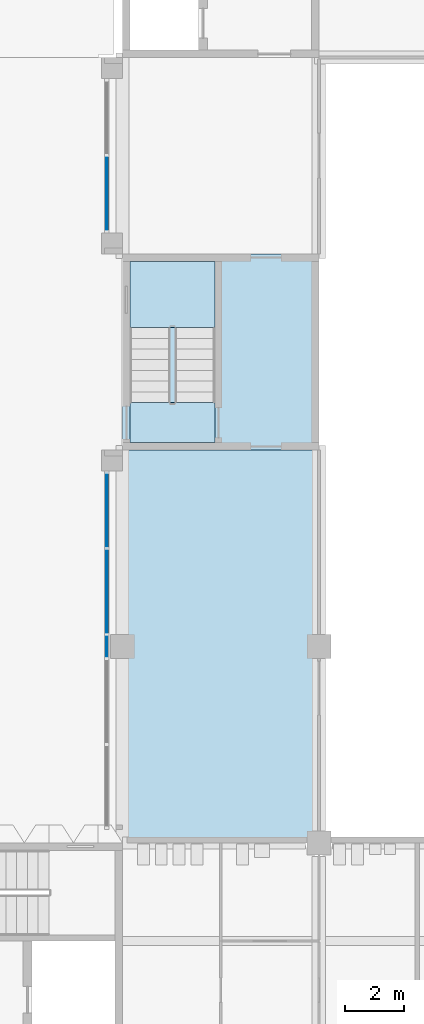
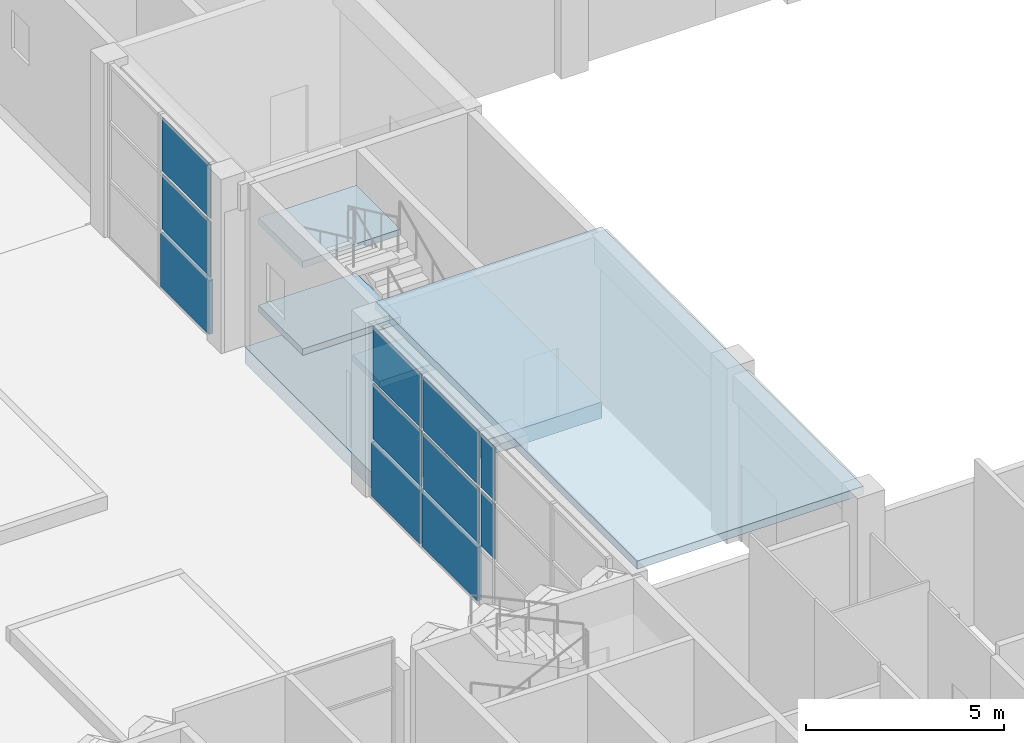
# One storey, part 20 of 85: 11 plates, 5 slabs, 3 elements without a shape of their own.
"""IFC4 building model written with IfcOpenShell, lengths in metres."""

from ifc_helpers import new_model, si_unit, direction, frame, origin, origin_2d, place, context, subcontext, project, spatial, polyline, rectangle, outline, extrude, material, layer, layer_set, type_object, element, aggregate, save


model = new_model("IFC4")

# Units and contexts
model_context = context("Model", 3, precision=1e-05, world=origin(), true_north=direction((0.0, 1.0)))
body_context = subcontext(model_context, "Body", "Model", "MODEL_VIEW")
ifc_project = project(units=[si_unit("LENGTHUNIT", "METRE"), si_unit("AREAUNIT", "SQUARE_METRE"), si_unit("VOLUMEUNIT", "CUBIC_METRE"), si_unit("PLANEANGLEUNIT", "RADIAN"), si_unit("MASSUNIT", "GRAM", prefix="KILO")], contexts=[model_context])

# Site, building, storey
site_placement = place(None, origin())
site = spatial("IfcSite", under=ifc_project, at=site_placement, CompositionType="ELEMENT")
building_placement = place(site_placement, origin())
building = spatial("IfcBuilding", under=site, at=building_placement, Name="Lantern Court Research Institute", CompositionType="ELEMENT")
storey_placement = place(building_placement, origin())
storey = spatial("IfcBuildingStorey", under=building, at=storey_placement, Name="L00", CompositionType="ELEMENT", Elevation=0.0)

# Curtain wall, plates
ifc_material_1 = material(Name="Aluminium alloy 6063-T6", Category="aluminium")
curtain_wall_type_1 = type_object("IfcCurtainWallType", Name="Curtain wall 12050 x 5400 x 150 aluminium frame", PredefinedType="NOTDEFINED", material=ifc_material_1)
curtain_wall_1_placement = place(storey_placement, origin())
curtain_wall_1 = element("IfcCurtainWall", 1, at=curtain_wall_1_placement, inside=storey, type_object=curtain_wall_type_1, Name="Curtain wall CW004", PredefinedType="NOTDEFINED")
ifc_material_2 = material(Name="Fire-resisting insulated aluminium spandrel panel", Category="aluminium")
ifc_layer_1 = layer(ifc_material_2, 0.1201171875)
ifc_layer_set_1 = layer_set([ifc_layer_1], Name="Fire-resisting insulated aluminium spandrel panel")
plate_type_1 = type_object("IfcPlateType", Name="Fire-resisting spandrel panel 120 mm", PredefinedType="CURTAIN_PANEL", material=ifc_layer_set_1)
plate_1_placement = place(storey_placement, frame((39.074951171875, 31.550048828125, 0.10009765625), z_axis=(0.0, 0.0, 1.0), x_axis=(0.0, 1.0, 0.0)))
plate_1 = element("IfcPlate", 2, at=plate_1_placement, type_object=plate_type_1, Name="CW004 spandrel panel 4.1", PredefinedType="CURTAIN_PANEL", context=body_context, shape_type="SweptSolid", body=[
    extrude(rectangle(XDim=2.800048828125, YDim=0.1201171875, at=origin_2d()), origin(), (0.0, 0.0, 1.0), 1.64990234375),
])
plate_2_placement = place(storey_placement, frame((39.074951171875, 34.27490234375, 0.10009765625), z_axis=(0.0, 0.0, 1.0), x_axis=(0.0, 1.0, 0.0)))
plate_2 = element("IfcPlate", 3, at=plate_2_placement, type_object=plate_type_1, Name="CW004 spandrel panel 5.1", PredefinedType="CURTAIN_PANEL", context=body_context, shape_type="SweptSolid", body=[
    extrude(rectangle(XDim=2.449951171875, YDim=0.1201171875, at=origin_2d()), origin(), (0.0, 0.0, 1.0), 1.64990234375),
])

# Curtain wall, plate
ifc_material_3 = material(Name="Aluminium alloy 6063-T6", Category="aluminium")
curtain_wall_type_2 = type_object("IfcCurtainWallType", Name="Curtain wall 5200 x 5400 x 150 aluminium frame", PredefinedType="NOTDEFINED", material=ifc_material_3)
curtain_wall_2_placement = place(storey_placement, origin())
curtain_wall_2 = element("IfcCurtainWall", 4, at=curtain_wall_2_placement, inside=storey, type_object=curtain_wall_type_2, Name="Curtain wall CW005", PredefinedType="NOTDEFINED")
plate_3_placement = place(storey_placement, frame((39.074951171875, 44.925048828125, 0.10009765625), z_axis=(0.0, 0.0, 1.0), x_axis=(0.0, 1.0, 0.0)))
plate_3 = element("IfcPlate", 5, at=plate_3_placement, type_object=plate_type_1, Name="CW005 spandrel panel 1.1", PredefinedType="CURTAIN_PANEL", context=body_context, shape_type="SweptSolid", body=[
    extrude(rectangle(XDim=2.449951171875, YDim=0.1201171875, at=origin_2d()), origin(), (0.0, 0.0, 1.0), 1.64990234375),
])

# Slab
ifc_material_4 = material(Name="Concrete C35/45", Category="concrete")
ifc_layer_2 = layer(ifc_material_4, 0.25)
ifc_layer_set_2 = layer_set([ifc_layer_2], Name="Concrete C35/45")
slab_type_1 = type_object("IfcSlabType", Name="Hall gallery slab 250", PredefinedType="FLOOR", material=ifc_layer_set_2)
slab_1_placement = place(storey_placement, frame((0.0, 0.0, 5.14990234375)))
element("IfcSlab", 6, at=slab_1_placement, inside=storey, type_object=slab_type_1, Name="Atrium gallery floor slab L01", PredefinedType="FLOOR", context=body_context, shape_type="SweptSolid", body=[
    extrude(outline(polyline([(39.60009765625, 36.300048828125), (46.199951171875, 36.300048828125), (46.199951171875, 23.10009765625), (39.60009765625, 23.10009765625), (39.60009765625, 36.300048828125)])), origin(), (0.0, 0.0, 1.0), 0.25),
])

# Plate
ifc_material_5 = material(Name="Laminated low-emissivity glass", Category="glass")
ifc_layer_3 = layer(ifc_material_5, 0.028076171875)
ifc_layer_set_3 = layer_set([ifc_layer_3], Name="Laminated low-emissivity glass")
plate_type_2 = type_object("IfcPlateType", Name="Laminated low-emissivity unit 28 mm", PredefinedType="CURTAIN_PANEL", material=ifc_layer_set_3)
plate_4_placement = place(storey_placement, frame((39.074951171875, 29.699951171875, 1.85009765625), z_axis=(0.0, 0.0, 1.0), x_axis=(0.0, 1.0, 0.0)))
plate_4 = element("IfcPlate", 7, at=plate_4_placement, type_object=plate_type_2, Name="CW004 glazed panel 3.2", PredefinedType="CURTAIN_PANEL", context=body_context, shape_type="SweptSolid", body=[
    extrude(rectangle(XDim=0.699951171875, YDim=0.028076171875, at=origin_2d()), origin(), (0.0, 0.0, 1.0), 1.699951171875),
])

plate_5_placement = place(storey_placement, frame((39.074951171875, 29.699951171875, 3.650146484375), z_axis=(0.0, 0.0, 1.0), x_axis=(0.0, 1.0, 0.0)))
plate_5 = element("IfcPlate", 8, at=plate_5_placement, type_object=plate_type_2, Name="CW004 glazed panel 3.3", PredefinedType="CURTAIN_PANEL", context=body_context, shape_type="SweptSolid", body=[
    extrude(rectangle(XDim=0.699951171875, YDim=0.028076171875, at=origin_2d()), origin(), (0.0, 0.0, 1.0), 1.64990234375),
])

plate_6_placement = place(storey_placement, frame((39.074951171875, 31.550048828125, 1.85009765625), z_axis=(0.0, 0.0, 1.0), x_axis=(0.0, 1.0, 0.0)))
plate_6 = element("IfcPlate", 9, at=plate_6_placement, type_object=plate_type_2, Name="CW004 glazed panel 4.2", PredefinedType="CURTAIN_PANEL", context=body_context, shape_type="SweptSolid", body=[
    extrude(rectangle(XDim=2.800048828125, YDim=0.028076171875, at=origin_2d()), origin(), (0.0, 0.0, 1.0), 1.699951171875),
])

plate_7_placement = place(storey_placement, frame((39.074951171875, 31.550048828125, 3.650146484375), z_axis=(0.0, 0.0, 1.0), x_axis=(0.0, 1.0, 0.0)))
plate_7 = element("IfcPlate", 10, at=plate_7_placement, type_object=plate_type_2, Name="CW004 glazed panel 4.3", PredefinedType="CURTAIN_PANEL", context=body_context, shape_type="SweptSolid", body=[
    extrude(rectangle(XDim=2.800048828125, YDim=0.028076171875, at=origin_2d()), origin(), (0.0, 0.0, 1.0), 1.64990234375),
])

plate_8_placement = place(storey_placement, frame((39.074951171875, 34.27490234375, 1.85009765625), z_axis=(0.0, 0.0, 1.0), x_axis=(0.0, 1.0, 0.0)))
plate_8 = element("IfcPlate", 11, at=plate_8_placement, type_object=plate_type_2, Name="CW004 glazed panel 5.2", PredefinedType="CURTAIN_PANEL", context=body_context, shape_type="SweptSolid", body=[
    extrude(rectangle(XDim=2.449951171875, YDim=0.028076171875, at=origin_2d()), origin(), (0.0, 0.0, 1.0), 1.699951171875),
])

plate_9_placement = place(storey_placement, frame((39.074951171875, 34.27490234375, 3.650146484375), z_axis=(0.0, 0.0, 1.0), x_axis=(0.0, 1.0, 0.0)))
plate_9 = element("IfcPlate", 12, at=plate_9_placement, type_object=plate_type_2, Name="CW004 glazed panel 5.3", PredefinedType="CURTAIN_PANEL", context=body_context, shape_type="SweptSolid", body=[
    extrude(rectangle(XDim=2.449951171875, YDim=0.028076171875, at=origin_2d()), origin(), (0.0, 0.0, 1.0), 1.64990234375),
])

aggregate(curtain_wall_1, [plate_4, plate_5, plate_1, plate_6, plate_7, plate_2, plate_8, plate_9])

plate_10_placement = place(storey_placement, frame((39.074951171875, 44.925048828125, 1.85009765625), z_axis=(0.0, 0.0, 1.0), x_axis=(0.0, 1.0, 0.0)))
plate_10 = element("IfcPlate", 13, at=plate_10_placement, type_object=plate_type_2, Name="CW005 glazed panel 1.2", PredefinedType="CURTAIN_PANEL", context=body_context, shape_type="SweptSolid", body=[
    extrude(rectangle(XDim=2.449951171875, YDim=0.028076171875, at=origin_2d()), origin(), (0.0, 0.0, 1.0), 1.699951171875),
])

plate_11_placement = place(storey_placement, frame((39.074951171875, 44.925048828125, 3.650146484375), z_axis=(0.0, 0.0, 1.0), x_axis=(0.0, 1.0, 0.0)))
plate_11 = element("IfcPlate", 14, at=plate_11_placement, type_object=plate_type_2, Name="CW005 glazed panel 1.3", PredefinedType="CURTAIN_PANEL", context=body_context, shape_type="SweptSolid", body=[
    extrude(rectangle(XDim=2.449951171875, YDim=0.028076171875, at=origin_2d()), origin(), (0.0, 0.0, 1.0), 1.64990234375),
])

aggregate(curtain_wall_2, [plate_3, plate_10, plate_11])

# Slab
ifc_material_6 = material(Name="Concrete C35/45", Category="concrete")
ifc_layer_4 = layer(ifc_material_6, 0.5)
ifc_layer_set_4 = layer_set([ifc_layer_4], Name="Concrete C35/45")
slab_type_2 = type_object("IfcSlabType", Name="RC core floor slab 500", PredefinedType="FLOOR", material=ifc_layer_set_4)
slab_2_placement = place(storey_placement, frame((0.0, 0.0, -0.5)))
element("IfcSlab", 15, at=slab_2_placement, inside=storey, type_object=slab_type_2, Name="Floor of core HC-C", PredefinedType="FLOOR", context=body_context, shape_type="SweptSolid", body=[
    extrude(outline(polyline([(39.60009765625, 36.300048828125), (46.199951171875, 36.300048828125), (46.199951171875, 42.89990234375), (39.60009765625, 42.89990234375), (39.60009765625, 36.300048828125)])), origin(), (0.0, 0.0, 1.0), 0.5),
])

# Stair, slabs
ifc_material_7 = material(Name="Concrete C40/50", Category="concrete")
stair_type = type_object("IfcStairType", Name="RC half-turn stair 1350 wide, 5400 rise, 6100 shaft", PredefinedType="HALF_TURN_STAIR", material=ifc_material_7)
stair_placement = place(storey_placement, origin())
stair = element("IfcStair", 16, at=stair_placement, inside=storey, type_object=stair_type, Name="L00 stair ST-H3", PredefinedType="HALF_TURN_STAIR")
ifc_material_8 = material(Name="Concrete C40/50", Category="concrete")
ifc_layer_5 = layer(ifc_material_8, 0.199951171875)
ifc_layer_set_5 = layer_set([ifc_layer_5], Name="Concrete C40/50")
slab_type_3 = type_object("IfcSlabType", Name="RC stair landing 200", PredefinedType="LANDING", material=ifc_layer_set_5)
slab_3_placement = place(storey_placement, frame((0.0, 0.0, 1.14990234375)))
slab_3 = element("IfcSlab", 17, at=slab_3_placement, type_object=slab_type_3, Name="ST-H3 landing 1", PredefinedType="LANDING", context=body_context, shape_type="SweptSolid", body=[
    extrude(outline(polyline([(42.699951171875, 40.419921875), (42.699951171875, 42.64990234375), (39.85009765625, 42.64990234375), (39.85009765625, 40.419921875), (42.699951171875, 40.419921875)])), origin(), (0.0, 0.0, 1.0), 0.2001953125),
])
slab_4_placement = place(storey_placement, frame((0.0, 0.0, 2.5)))
slab_4 = element("IfcSlab", 18, at=slab_4_placement, type_object=slab_type_3, Name="ST-H3 landing 2", PredefinedType="LANDING", context=body_context, shape_type="SweptSolid", body=[
    extrude(outline(polyline([(42.699951171875, 36.550048828125), (42.699951171875, 37.89990234375), (39.85009765625, 37.89990234375), (39.85009765625, 36.550048828125), (42.699951171875, 36.550048828125)])), origin(), (0.0, 0.0, 1.0), 0.199951171875),
])
slab_5_placement = place(storey_placement, frame((0.0, 0.0, 3.85009765625)))
slab_5 = element("IfcSlab", 19, at=slab_5_placement, type_object=slab_type_3, Name="ST-H3 landing 3", PredefinedType="LANDING", context=body_context, shape_type="SweptSolid", body=[
    extrude(outline(polyline([(42.699951171875, 40.419921875), (42.699951171875, 42.64990234375), (39.85009765625, 42.64990234375), (39.85009765625, 40.419921875), (42.699951171875, 40.419921875)])), origin(), (0.0, 0.0, 1.0), 0.199951171875),
])
aggregate(stair, [slab_3, slab_4, slab_5])

save(model, "model.ifc")
